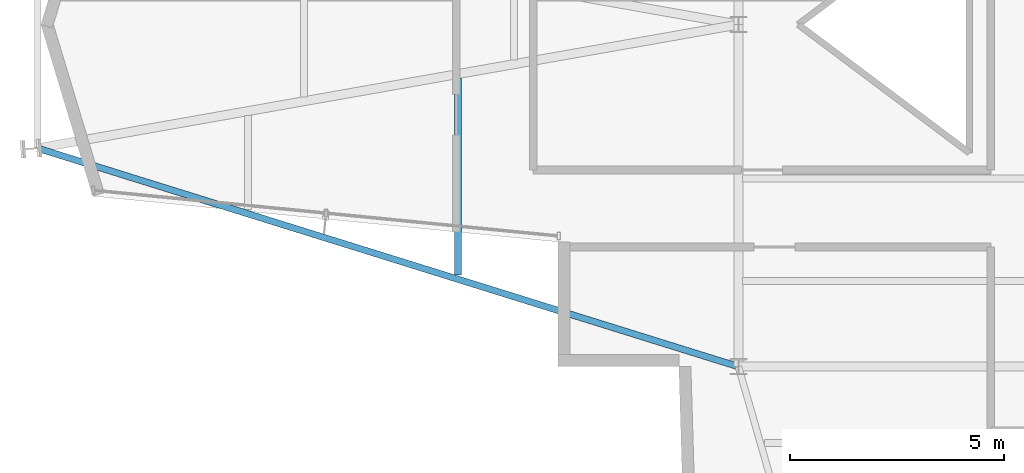
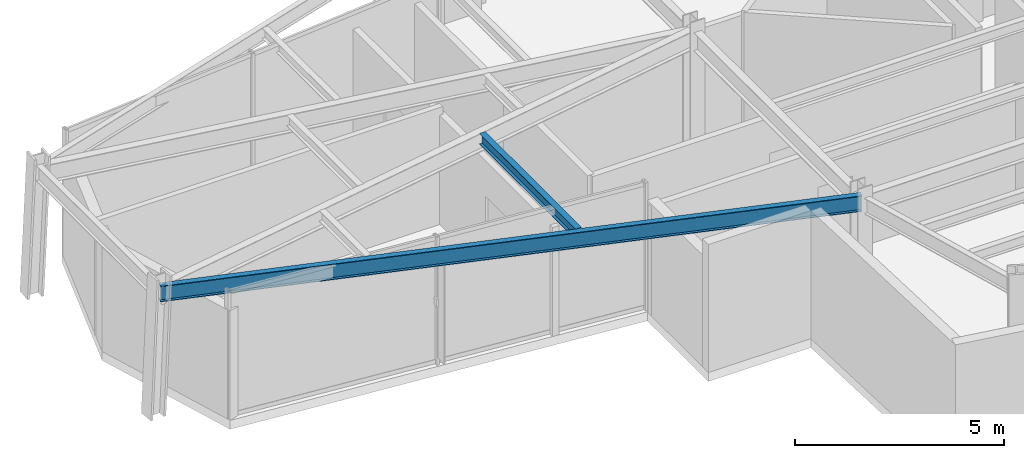
# One storey, part 3 of 23: 2 beams.
"""IFC4 building model written with IfcOpenShell, lengths in metres."""

from ifc_helpers import new_model, si_unit, direction, frame, origin, origin_2d, place, context, subcontext, project, spatial, i_section, extrude, material, material_profile, profile_set, type_object, element, save


model = new_model("IFC4")

# Units and contexts
model_context = context("Model", 3, precision=1e-05, world=origin(), true_north=direction((0.0, 1.0)))
body_context = subcontext(model_context, "Body", "Model", "MODEL_VIEW")
ifc_project = project(units=[si_unit("LENGTHUNIT", "METRE"), si_unit("AREAUNIT", "SQUARE_METRE"), si_unit("VOLUMEUNIT", "CUBIC_METRE"), si_unit("PLANEANGLEUNIT", "RADIAN"), si_unit("MASSUNIT", "GRAM", prefix="KILO")], contexts=[model_context])

# Site, building, storey
site_placement = place(None, origin())
site = spatial("IfcSite", under=ifc_project, at=site_placement, CompositionType="ELEMENT")
building_placement = place(site_placement, origin())
building = spatial("IfcBuilding", under=site, at=building_placement, Name="Veymaron Broadcast Tower", CompositionType="ELEMENT")
storey_placement = place(building_placement, frame((0.0, 0.0, 252.60009765625)))
storey = spatial("IfcBuildingStorey", under=building, at=storey_placement, Name="L59", CompositionType="ELEMENT", Elevation=252.60009765625)

# Beams
ifc_material = material(Name="Structural steel ASTM A992 Gr 50", Category="steel")
ifc_material_profile_1 = material_profile(ifc_material, i_section(OverallWidth=0.1650390625, OverallDepth=0.31005859375, WebThickness=0.005859375, FlangeThickness=0.009765625, at=origin_2d()), Name="W310X39")
ifc_profile_set_1 = profile_set([ifc_material_profile_1], Name="Structural steel ASTM A992 Gr 50")
beam_type_1 = type_object("IfcBeamType", Name="BM-JS3", PredefinedType="JOIST", material=ifc_profile_set_1)
beam_1_placement = place(storey_placement, frame((24.644287109375, 18.143310546875, 3.574951171875), z_axis=(0.0, 1.0, 0.0), x_axis=(-1.0, 0.0, 0.0)))
element("IfcBeam", 1, at=beam_1_placement, inside=storey, type_object=beam_type_1, Name="L59 Arm-A secondary joist 2S", PredefinedType="JOIST", context=body_context, shape_type="SweptSolid", body=[
    extrude(i_section(OverallWidth=0.1650390625, OverallDepth=0.31005859375, WebThickness=0.005859375, FlangeThickness=0.009765625, at=origin_2d()), origin(), (0.0, 0.0, 1.0), 4.599853515625),
])
ifc_material_profile_2 = material_profile(ifc_material, i_section(OverallWidth=0.154052734375, OverallDepth=0.458984375, WebThickness=0.009033203125, FlangeThickness=0.015380859375, at=origin_2d()), Name="W460X68")
ifc_profile_set_2 = profile_set([ifc_material_profile_2], Name="Structural steel ASTM A992 Gr 50")
beam_type_2 = type_object("IfcBeamType", Name="BM-SP2", PredefinedType="SPANDREL", material=ifc_profile_set_2)
beam_2_placement = place(storey_placement, frame((14.810302734375, 21.10791015625, 3.50048828125), z_axis=(0.954709463703, -0.297539644277, 0.0), x_axis=(0.297539644277, 0.954709463703, 0.0)))
element("IfcBeam", 2, at=beam_2_placement, inside=storey, type_object=beam_type_2, Name="L59 primary structural floor girder", PredefinedType="SPANDREL", context=body_context, shape_type="SweptSolid", body=[
    extrude(i_section(OverallWidth=0.154052734375, OverallDepth=0.458984375, WebThickness=0.009033203125, FlangeThickness=0.015380859375, at=origin_2d()), origin(), (0.0, 0.0, 1.0), 17.167236328125),
])

save(model, "model.ifc")
